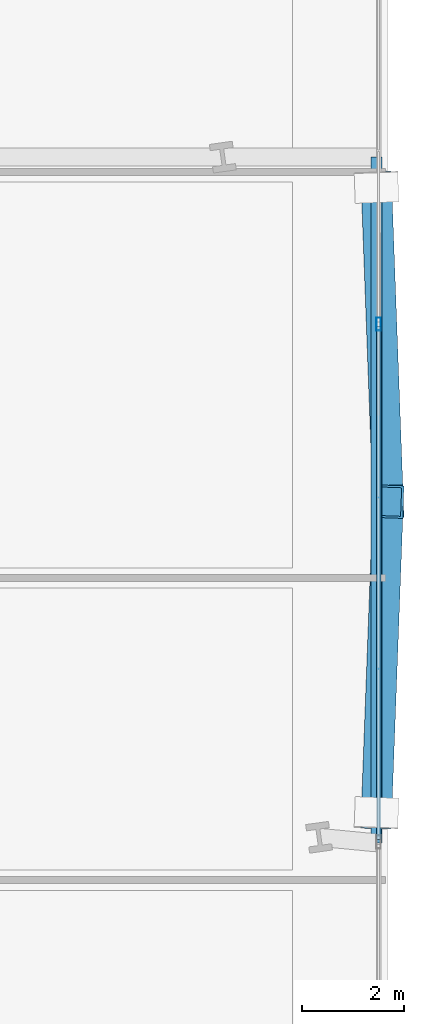
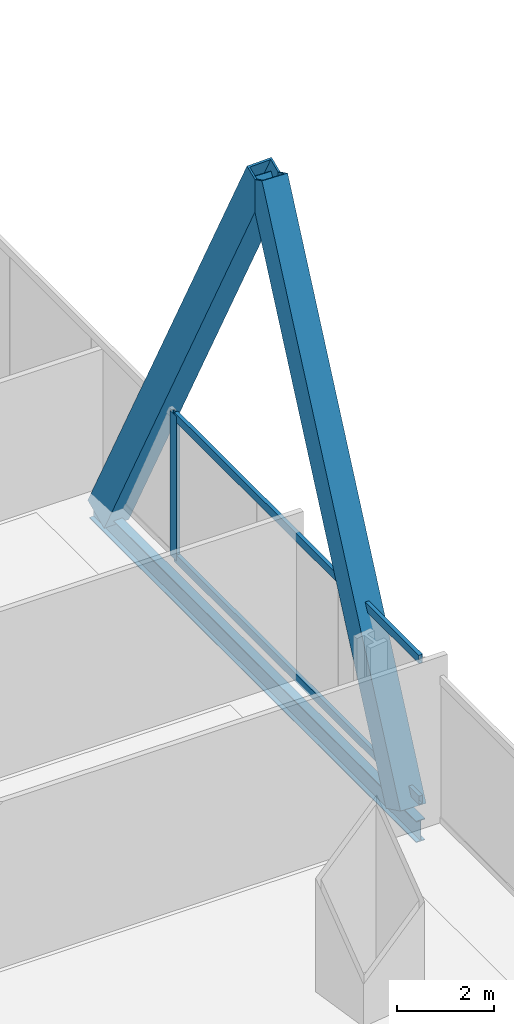
# One storey, part 11 of 29: 5 members, 1 beam, 1 element without a shape of its own.
"""IFC4 building model written with IfcOpenShell, lengths in metres."""

from ifc_helpers import new_model, si_unit, direction, frame, origin, origin_2d, place, context, subcontext, project, spatial, hollow_rectangle, i_section, extrude, material, material_profile, profile_set, type_object, element, aggregate, save


model = new_model("IFC4")

# Units and contexts
model_context = context("Model", 3, precision=1e-05, world=origin(), true_north=direction((0.0, 1.0)))
body_context = subcontext(model_context, "Body", "Model", "MODEL_VIEW")
ifc_project = project(units=[si_unit("LENGTHUNIT", "METRE"), si_unit("AREAUNIT", "SQUARE_METRE"), si_unit("VOLUMEUNIT", "CUBIC_METRE"), si_unit("PLANEANGLEUNIT", "RADIAN"), si_unit("MASSUNIT", "GRAM", prefix="KILO")], contexts=[model_context])

# Site, building, storey
site_placement = place(None, origin())
site = spatial("IfcSite", under=ifc_project, at=site_placement, CompositionType="ELEMENT")
building_placement = place(site_placement, origin())
building = spatial("IfcBuilding", under=site, at=building_placement, Name="Haldenkirk Collegiate Tower", CompositionType="ELEMENT")
storey_placement = place(building_placement, frame((0.0, 0.0, 28.199951171875)))
storey = spatial("IfcBuildingStorey", under=building, at=storey_placement, Name="L05", CompositionType="ELEMENT", Elevation=28.199951171875)

# Beam
ifc_material_1 = material(Name="Steel ASTM A992 Grade 50", Category="steel")
ifc_material_profile_1 = material_profile(ifc_material_1, i_section(OverallWidth=0.2119140625, OverallDepth=0.5439453125, WebThickness=0.01318359375, FlangeThickness=0.021240234375, at=origin_2d()), Name="W21X83")
ifc_profile_set_1 = profile_set([ifc_material_profile_1], Name="Steel ASTM A992 Grade 50")
beam_type = type_object("IfcBeamType", Name="BM-SPANDREL-W21X83", PredefinedType="SPANDREL", material=ifc_profile_set_1)
beam_placement = place(storey_placement, frame((62.780029296875, 16.28369140625, -0.681884765625), z_axis=(0.0, 1.0, 0.0), x_axis=(-1.0, 0.0, 0.0)))
element("IfcBeam", 1, at=beam_placement, inside=storey, type_object=beam_type, Name="L05 outer facade edge beam 2", PredefinedType="SPANDREL", context=body_context, shape_type="SweptSolid", body=[
    extrude(i_section(OverallWidth=0.2119140625, OverallDepth=0.5439453125, WebThickness=0.01318359375, FlangeThickness=0.021240234375, at=origin_2d()), origin(), (0.0, 0.0, 1.0), 13.505126953125),
])

# Curtain wall, members
ifc_material_2 = material(Name="Anodised architectural bronze aluminium", Category="aluminium")
curtain_wall_type = type_object("IfcCurtainWallType", Name="CW-SYS4-SKYGARDEN", PredefinedType="USERDEFINED", material=ifc_material_2)
curtain_wall_placement = place(storey_placement, origin())
curtain_wall = element("IfcCurtainWall", 2, at=curtain_wall_placement, inside=storey, type_object=curtain_wall_type, Name="L05 Sky-garden tall bronze curtain wall", ObjectType="UNITISED CURTAIN WALL", PredefinedType="USERDEFINED")
ifc_material_profile_2 = material_profile(ifc_material_2, hollow_rectangle(XDim=0.090087890625, YDim=0.260009765625, WallThickness=0.0048828125, at=origin_2d()), Name="CW-MUL-04")
ifc_profile_set_2 = profile_set([ifc_material_profile_2], Name="Anodised architectural bronze aluminium")
member_type_1 = type_object("IfcMemberType", Name="CW-MUL-04", PredefinedType="MULLION", material=ifc_profile_set_2)
member_1_placement = place(storey_placement, frame((62.820068359375, 26.5, 0.0), z_axis=(0.0, 0.0, 1.0), x_axis=(1.0, 0.0, 0.0)))
member_1 = element("IfcMember", 3, at=member_1_placement, type_object=member_type_1, Name="CW-04 mullion 3", PredefinedType="MULLION", context=body_context, shape_type="SweptSolid", body=[
    extrude(hollow_rectangle(XDim=0.090087890625, YDim=0.260009765625, WallThickness=0.0048828125, at=origin_2d()), origin(), (0.0, 0.0, 1.0), 3.64111328125),
])
ifc_material_profile_3 = material_profile(ifc_material_2, hollow_rectangle(XDim=0.090087890625, YDim=0.2099609375, WallThickness=0.0048828125, at=origin_2d()), Name="CW-TRN-04")
ifc_profile_set_3 = profile_set([ifc_material_profile_3], Name="Anodised architectural bronze aluminium")
member_type_2 = type_object("IfcMemberType", Name="CW-TRN-04", PredefinedType="USERDEFINED", material=ifc_profile_set_3)
member_2_placement = place(storey_placement, frame((62.820068359375, 26.455078125, 0.045166015625), z_axis=(0.0, -1.0, 0.0), x_axis=(1.0, 0.0, 0.0)))
member_2 = element("IfcMember", 4, at=member_2_placement, type_object=member_type_2, Name="CW-04 transom 3.1", ObjectType="TRANSOM", PredefinedType="USERDEFINED", context=body_context, shape_type="SweptSolid", body=[
    extrude(hollow_rectangle(XDim=0.090087890625, YDim=0.2099609375, WallThickness=0.0048828125, at=origin_2d()), origin(), (0.0, 0.0, 1.0), 10.110107421875),
])
member_3_placement = place(storey_placement, frame((62.820068359375, 26.455078125, 3.595947265625), z_axis=(0.0, -1.0, 0.0), x_axis=(1.0, 0.0, 0.0)))
member_3 = element("IfcMember", 5, at=member_3_placement, type_object=member_type_2, Name="CW-04 transom 3.2", ObjectType="TRANSOM", PredefinedType="USERDEFINED", context=body_context, shape_type="SweptSolid", body=[
    extrude(hollow_rectangle(XDim=0.090087890625, YDim=0.2099609375, WallThickness=0.0048828125, at=origin_2d()), origin(), (0.0, 0.0, 1.0), 10.110107421875),
])
aggregate(curtain_wall, [member_1, member_2, member_3])

# Members
ifc_material_3 = material(Name="Steel ASTM A572 Grade 50", Category="steel")
ifc_material_profile_4 = material_profile(ifc_material_3, hollow_rectangle(XDim=0.60009765625, YDim=0.719970703125, WallThickness=0.044921875, at=origin_2d()), Name="BOX720X600X45")
ifc_profile_set_4 = profile_set([ifc_material_profile_4], Name="Steel ASTM A572 Grade 50")
member_type_3 = type_object("IfcMemberType", Name="MBR-MEGABRACE-BOX720X600X45", PredefinedType="BRACE", material=ifc_profile_set_4)
member_4_placement = place(storey_placement, frame((62.780029296875, 16.8837890625, -0.419921875), z_axis=(0.016903478329, 0.451371475644, 0.892176027135), x_axis=(-0.999299517265, 0.037422918031, 0.0)))
element("IfcMember", 6, at=member_4_placement, inside=storey, type_object=member_type_3, Name="Perimeter Mega Brace Z1 L05-L07 EL", PredefinedType="BRACE", context=body_context, shape_type="SweptSolid", body=[
    extrude(hollow_rectangle(XDim=0.60009765625, YDim=0.719970703125, WallThickness=0.044921875, at=origin_2d()), origin(), (0.0, 0.0, 1.0), 13.562255859375),
])
member_5_placement = place(storey_placement, frame((62.780029296875, 29.188720703125, -0.419921875), z_axis=(0.016868661971, -0.454986796325, 0.890338398258), x_axis=(0.999313427748, 0.037049603532, 0.0)))
element("IfcMember", 7, at=member_5_placement, inside=storey, type_object=member_type_3, Name="Perimeter Mega Brace Z1 L05-L07 ER", PredefinedType="BRACE", context=body_context, shape_type="SweptSolid", body=[
    extrude(hollow_rectangle(XDim=0.60009765625, YDim=0.719970703125, WallThickness=0.044921875, at=origin_2d()), origin(), (0.0, 0.0, 1.0), 13.590087890625),
])

save(model, "model.ifc")
